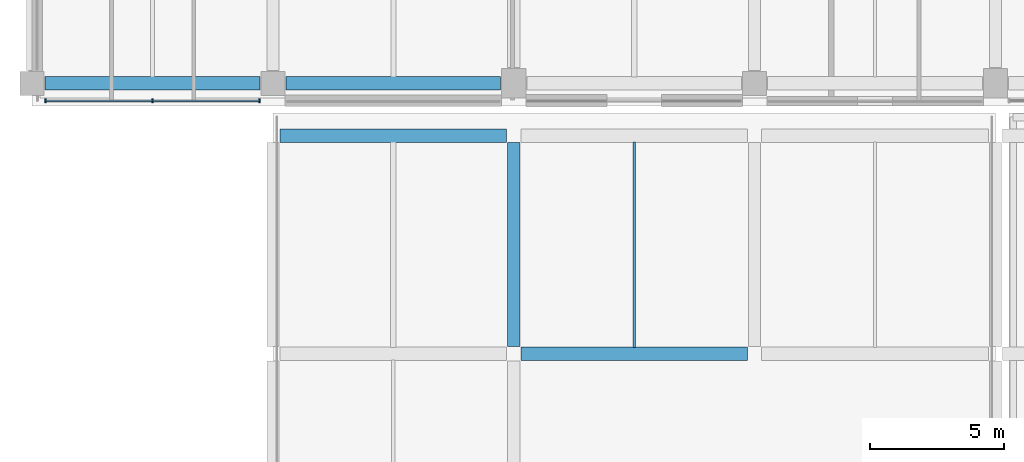
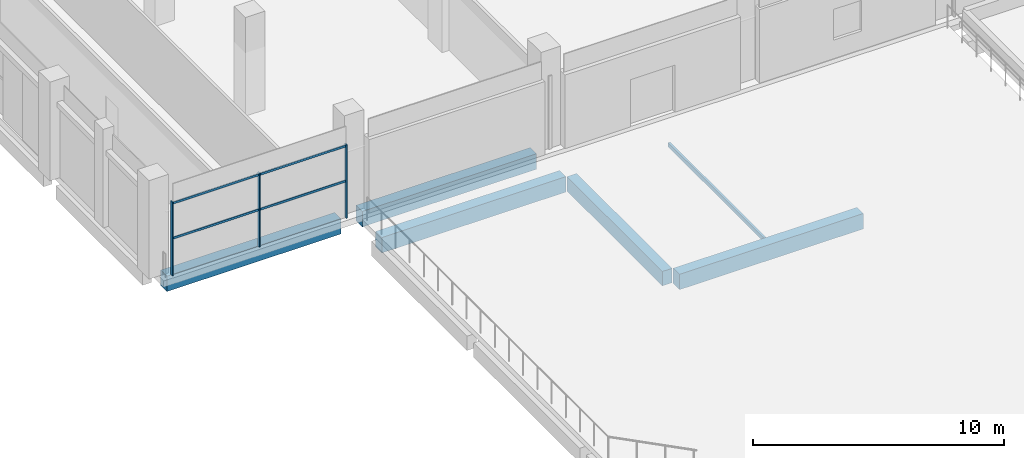
# One storey, part 4 of 82: 6 beams, 5 members, 1 element without a shape of its own.
"""IFC4 building model written with IfcOpenShell, lengths in metres."""

from ifc_helpers import new_model, si_unit, direction, frame, origin, origin_2d, place, context, subcontext, project, spatial, rectangle, hollow_rectangle, extrude, material, material_profile, profile_set, type_object, element, aggregate, save


model = new_model("IFC4")

# Units and contexts
model_context = context("Model", 3, precision=1e-05, world=origin(), true_north=direction((0.0, 1.0)))
body_context = subcontext(model_context, "Body", "Model", "MODEL_VIEW")
ifc_project = project(units=[si_unit("LENGTHUNIT", "METRE"), si_unit("AREAUNIT", "SQUARE_METRE"), si_unit("VOLUMEUNIT", "CUBIC_METRE"), si_unit("PLANEANGLEUNIT", "RADIAN"), si_unit("MASSUNIT", "GRAM", prefix="KILO"), si_unit("THERMODYNAMICTEMPERATUREUNIT", "KELVIN"), si_unit("POWERUNIT", "WATT")], contexts=[model_context])

# Site, building, storey
site_placement = place(None, origin())
site = spatial("IfcSite", under=ifc_project, at=site_placement, CompositionType="ELEMENT")
building_placement = place(site_placement, origin())
building = spatial("IfcBuilding", under=site, at=building_placement, Name="Sindhuravela Promenade Stadium", CompositionType="ELEMENT")
storey_placement = place(building_placement, frame((0.0, 0.0, 14.39990234375)))
storey = spatial("IfcBuildingStorey", under=building, at=storey_placement, Name="L03", CompositionType="ELEMENT", Elevation=14.39990234375)

# Curtain wall, members
ifc_material_1 = material(Name="Anodised architectural aluminium 6063-T6", Category="aluminium")
curtain_wall_type = type_object("IfcCurtainWallType", Name="CW-MOD-8", PredefinedType="NOTDEFINED", material=ifc_material_1)
curtain_wall_placement = place(storey_placement, origin())
curtain_wall = element("IfcCurtainWall", 1, at=curtain_wall_placement, inside=storey, type_object=curtain_wall_type, Name="Bronze curtain wall CW-WEST-L03-047", PredefinedType="NOTDEFINED")
ifc_material_profile_1 = material_profile(ifc_material_1, rectangle(XDim=0.054931640625, YDim=0.14990234375, at=origin_2d()), Name="ALU M55x150")
ifc_profile_set_1 = profile_set([ifc_material_profile_1], Name="Anodised architectural aluminium 6063-T6")
member_type_1 = type_object("IfcMemberType", Name="CW-MUL-6", PredefinedType="MULLION", material=ifc_profile_set_1)
member_1_placement = place(storey_placement, frame((8.5, 36.449951171875, 0.0), z_axis=(0.0, 0.0, 1.0), x_axis=(1.0, 0.0, 0.0)))
member_1 = element("IfcMember", 2, at=member_1_placement, type_object=member_type_1, Name="Curtain wall mullion CW-WEST-L03-047-M1", PredefinedType="MULLION", context=body_context, shape_type="SweptSolid", body=[
    extrude(rectangle(XDim=0.054931640625, YDim=0.14990234375, at=origin_2d()), origin(), (0.0, 0.0, 1.0), 3.580078125),
])
member_2_placement = place(storey_placement, frame((4.5, 36.449951171875, 0.0), z_axis=(0.0, 0.0, 1.0), x_axis=(1.0, 0.0, 0.0)))
member_2 = element("IfcMember", 3, at=member_2_placement, type_object=member_type_1, Name="Curtain wall mullion CW-WEST-L03-047-M2", PredefinedType="MULLION", context=body_context, shape_type="SweptSolid", body=[
    extrude(rectangle(XDim=0.054931640625, YDim=0.14990234375, at=origin_2d()), origin(), (0.0, 0.0, 1.0), 3.580078125),
])
member_3_placement = place(storey_placement, frame((0.5, 36.449951171875, 0.0), z_axis=(0.0, 0.0, 1.0), x_axis=(1.0, 0.0, 0.0)))
member_3 = element("IfcMember", 4, at=member_3_placement, type_object=member_type_1, Name="Curtain wall mullion CW-WEST-L03-047-M3", PredefinedType="MULLION", context=body_context, shape_type="SweptSolid", body=[
    extrude(rectangle(XDim=0.054931640625, YDim=0.14990234375, at=origin_2d()), origin(), (0.0, 0.0, 1.0), 3.580078125),
])
ifc_material_profile_2 = material_profile(ifc_material_1, rectangle(XDim=0.054931640625, YDim=0.10498046875, at=origin_2d()), Name="ALU T55x105")
ifc_profile_set_2 = profile_set([ifc_material_profile_2], Name="Anodised architectural aluminium 6063-T6")
member_type_2 = type_object("IfcMemberType", Name="CW-TRN-6", PredefinedType="USERDEFINED", material=ifc_profile_set_2)
member_4_placement = place(storey_placement, frame((8.52490234375, 36.449951171875, 1.7900390625), z_axis=(-1.0, 0.0, 0.0), x_axis=(0.0, -1.0, 0.0)))
member_4 = element("IfcMember", 5, at=member_4_placement, type_object=member_type_2, Name="Curtain wall transom CW-WEST-L03-047-T1", ObjectType="TRANSOM", PredefinedType="USERDEFINED", context=body_context, shape_type="SweptSolid", body=[
    extrude(rectangle(XDim=0.054931640625, YDim=0.10498046875, at=origin_2d()), origin(), (0.0, 0.0, 1.0), 8.0498046875),
])
member_5_placement = place(storey_placement, frame((8.52490234375, 36.449951171875, 3.5), z_axis=(-1.0, 0.0, 0.0), x_axis=(0.0, -1.0, 0.0)))
member_5 = element("IfcMember", 6, at=member_5_placement, type_object=member_type_2, Name="Curtain wall transom CW-WEST-L03-047-T2", ObjectType="TRANSOM", PredefinedType="USERDEFINED", context=body_context, shape_type="SweptSolid", body=[
    extrude(rectangle(XDim=0.054931640625, YDim=0.10498046875, at=origin_2d()), origin(), (0.0, 0.0, 1.0), 8.0498046875),
])
aggregate(curtain_wall, [member_1, member_2, member_3, member_4, member_5])

# Beams
ifc_material_2 = material(Name="Concrete M40", Category="concrete")
ifc_material_profile_3 = material_profile(ifc_material_2, rectangle(XDim=0.449951171875, YDim=0.699951171875, at=origin_2d()), Name="RC 450x700")
ifc_profile_set_3 = profile_set([ifc_material_profile_3], Name="Concrete M40")
beam_type_1 = type_object("IfcBeamType", Name="RC-BM-450x700", PredefinedType="BEAM", material=ifc_profile_set_3)
beam_1_placement = place(storey_placement, frame((18.0, 27.264892578125, -0.659912109375), z_axis=(0.0, 1.0, 0.0), x_axis=(-1.0, 0.0, 0.0)))
element("IfcBeam", 7, at=beam_1_placement, inside=storey, type_object=beam_type_1, Name="Primary beam GB07 Pavilion SW L03", PredefinedType="BEAM", context=body_context, shape_type="SweptSolid", body=[
    extrude(rectangle(XDim=0.449951171875, YDim=0.699951171875, at=origin_2d()), origin(), (0.0, 0.0, 1.0), 7.6201171875),
])
ifc_material_profile_4 = material_profile(ifc_material_2, rectangle(XDim=0.5, YDim=0.75, at=origin_2d()), Name="RC 500x750")
ifc_profile_set_4 = profile_set([ifc_material_profile_4], Name="Concrete M40")
beam_type_2 = type_object("IfcBeamType", Name="RC-BM-500x750", PredefinedType="BEAM", material=ifc_profile_set_4)
for number, where, z_axis, x_axis, name in (
    (8, (0.489990234375, 37.10009765625, -0.6748046875), (1.0, 0.0, 0.0), (0.0, 1.0, 0.0), "Primary girder GB06 WEST L03"),
    (9, (9.489990234375, 37.10009765625, -0.6748046875), (1.0, 0.0, 0.0), (0.0, 1.0, 0.0), "Primary girder GB06 WEST L03"),
):
    element("IfcBeam", number, at=place(storey_placement, frame(where, z_axis=z_axis, x_axis=x_axis)), inside=storey, type_object=beam_type_2, Name=name, PredefinedType="BEAM", context=body_context, shape_type="SweptSolid", body=[
        extrude(rectangle(XDim=0.5, YDim=0.75, at=origin_2d()), origin(), (0.0, 0.0, 1.0), 8.02001953125),
    ])
for number, where, z_axis, x_axis, name in (
    (10, (18.264892578125, 27.0, -0.684814453125), (1.0, 0.0, 0.0), (0.0, 1.0, 0.0), "Primary girder GB06 Pavilion SW L03"),
    (11, (9.264892578125, 35.14990234375, -0.684814453125), (1.0, 0.0, 0.0), (0.0, 1.0, 0.0), "Primary girder GB06 Pavilion SW L03"),
):
    element("IfcBeam", number, at=place(storey_placement, frame(where, z_axis=z_axis, x_axis=x_axis)), inside=storey, type_object=beam_type_2, Name=name, PredefinedType="BEAM", context=body_context, shape_type="SweptSolid", body=[
        extrude(rectangle(XDim=0.5, YDim=0.75, at=origin_2d()), origin(), (0.0, 0.0, 1.0), 8.47021484375),
    ])
ifc_material_3 = material(Name="Steel E350 (IS 2062 E350BR)", Category="steel")
ifc_material_profile_5 = material_profile(ifc_material_3, hollow_rectangle(XDim=0.10009765625, YDim=0.199951171875, WallThickness=0.008056640625, at=origin_2d()), Name="RHS 200x100x8")
ifc_profile_set_5 = profile_set([ifc_material_profile_5], Name="Steel E350 (IS 2062 E350BR)")
beam_type_3 = type_object("IfcBeamType", Name="ST-BM-LNT200", PredefinedType="LINTEL", material=ifc_profile_set_5)
beam_2_placement = place(storey_placement, frame((22.5, 27.239990234375, -0.409912109375), z_axis=(0.0, 1.0, 0.0), x_axis=(-1.0, 0.0, 0.0)))
element("IfcBeam", 12, at=beam_2_placement, inside=storey, type_object=beam_type_3, Name="Secondary floor joist LN01 Pavilion SW L03", PredefinedType="LINTEL", context=body_context, shape_type="SweptSolid", body=[
    extrude(hollow_rectangle(XDim=0.10009765625, YDim=0.199951171875, WallThickness=0.008056640625, at=origin_2d()), origin(), (0.0, 0.0, 1.0), 7.669921875),
])

save(model, "model.ifc")
